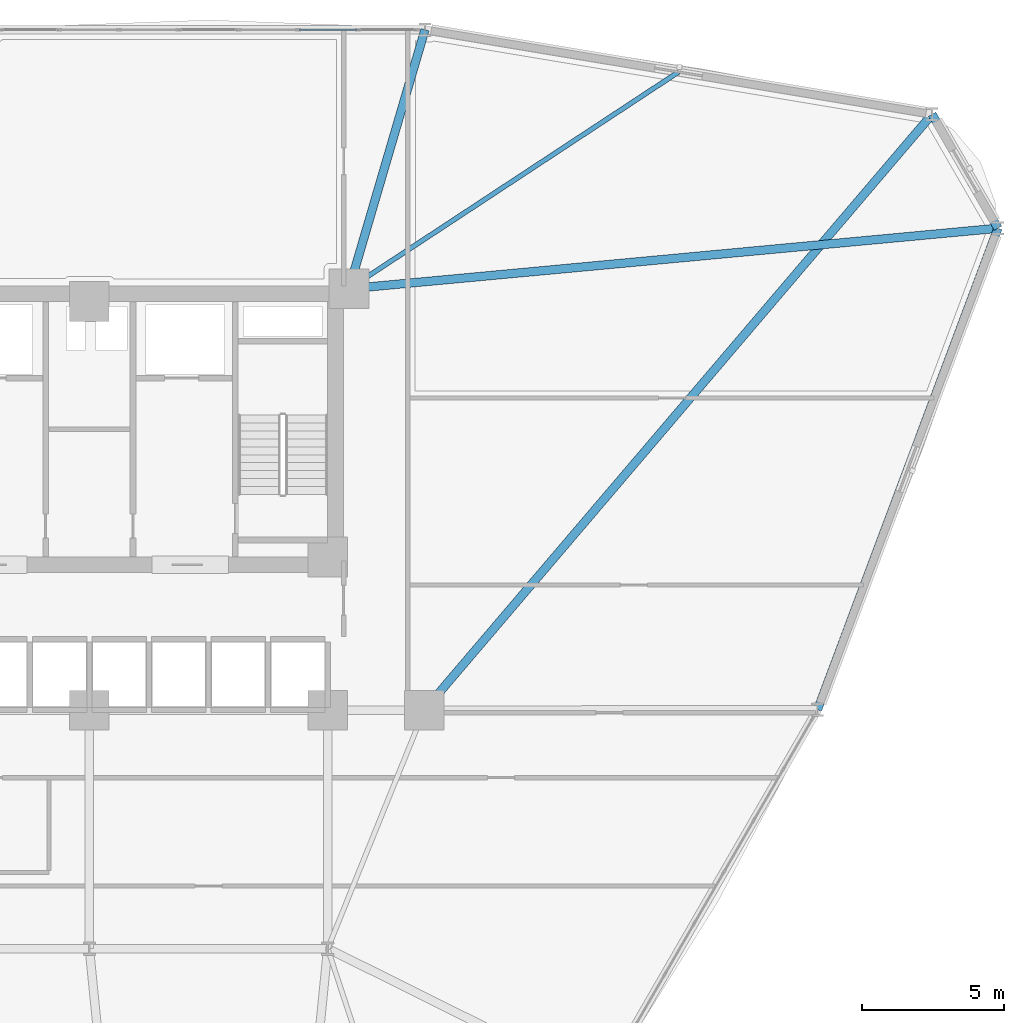
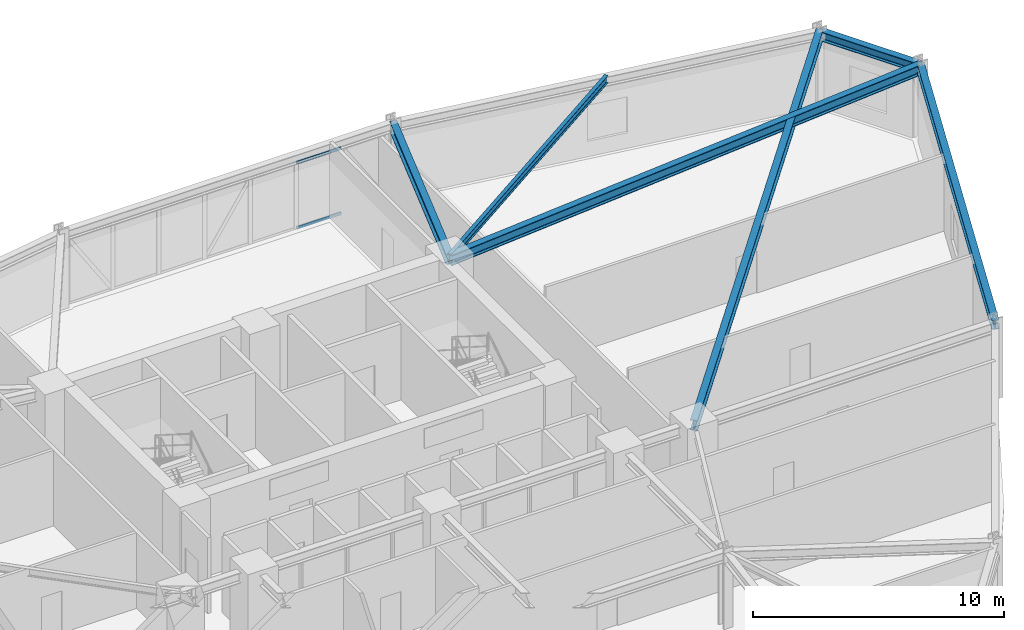
# One storey, part 11 of 20: 6 beams, 2 members, 1 element without a shape of its own.
"""IFC4 building model written with IfcOpenShell, lengths in metres."""

from ifc_helpers import new_model, si_unit, derived_unit, direction, frame, origin, origin_2d, place, context, subcontext, project, spatial, hollow_rectangle, i_section, extrude, source, transform, mapped, material, layer, layer_set, material_profile, profile_set, type_object, element, aggregate, save


model = new_model("IFC4")

# Units and contexts
model_context = context("Model", 3, precision=1e-05, world=origin(), true_north=direction((0.0, 1.0)))
body_context = subcontext(model_context, "Body", "Model", "MODEL_VIEW")
ifc_project = project(units=[si_unit("LENGTHUNIT", "METRE"), si_unit("AREAUNIT", "SQUARE_METRE"), si_unit("VOLUMEUNIT", "CUBIC_METRE"), si_unit("PLANEANGLEUNIT", "RADIAN"), si_unit("MASSUNIT", "GRAM", prefix="KILO"), derived_unit("THERMALTRANSMITTANCEUNIT", [(si_unit("POWERUNIT", "WATT"), 1), (si_unit("LENGTHUNIT", "METRE"), -2), (si_unit("THERMODYNAMICTEMPERATUREUNIT", "KELVIN"), -1)])], contexts=[model_context])

# Site, building, storey
site_placement = place(None, origin())
site = spatial("IfcSite", under=ifc_project, at=site_placement, CompositionType="ELEMENT")
building_placement = place(site_placement, origin())
building = spatial("IfcBuilding", under=site, at=building_placement, Name="Korsvarv Bourse and Concert Hall", CompositionType="ELEMENT")
storey_placement = place(building_placement, frame((0.0, 0.0, 67.800048828125)))
storey = spatial("IfcBuildingStorey", under=building, at=storey_placement, Name="L16", CompositionType="ELEMENT", Elevation=67.800048828125)

# Beams
ifc_material_1 = material(Name="Steel S355", Category="steel")
ifc_material_profile_1 = material_profile(ifc_material_1, i_section(OverallWidth=0.300048828125, OverallDepth=0.449951171875, WebThickness=0.013916015625, FlangeThickness=0.02587890625, FilletRadius=0.02099609375, at=origin_2d()), Name="HEB 450")
ifc_profile_set_1 = profile_set([ifc_material_profile_1], Name="Steel S355")
beam_type_1 = type_object("IfcBeamType", Name="BM-HEB450", PredefinedType="SPANDREL", material=ifc_profile_set_1)
shared_shape_1 = source(origin(), body_context, "Body", "SweptSolid", [
    extrude(i_section(OverallWidth=0.300048828125, OverallDepth=0.449951171875, WebThickness=0.013916015625, FlangeThickness=0.02587890625, FilletRadius=0.02099609375, at=origin_2d()), origin(), (0.0, 0.0, 1.0), 4.637939453125),
])
beam_1_placement = place(storey_placement, frame((68.0166015625, 49.382080078125, 3.454833984375), z_axis=(-0.499977629202, 0.866038319186, 0.0), x_axis=(-0.866038319186, -0.499977629202, 0.0)))
element("IfcBeam", 1, at=beam_1_placement, inside=storey, type_object=beam_type_1, Name="L16 beam B-08", PredefinedType="SPANDREL", context=body_context, shape_type="MappedRepresentation", body=[
    mapped(shared_shape_1, transform((0.0, 0.0, 0.0), scale=1.0)),
])
shared_shape_2 = source(origin(), body_context, "Body", "SweptSolid", [
    extrude(i_section(OverallWidth=0.300048828125, OverallDepth=0.449951171875, WebThickness=0.013916015625, FlangeThickness=0.02587890625, FilletRadius=0.02099609375, at=origin_2d()), origin(), (0.0, 0.0, 1.0), 18.1171875),
])
beam_2_placement = place(storey_placement, frame((61.66015625, 32.41650390625, 3.454833984375), z_axis=(0.350850223085, 0.936431589045, 0.0), x_axis=(-0.936431589045, 0.350850223085, 0.0)))
element("IfcBeam", 2, at=beam_2_placement, inside=storey, type_object=beam_type_1, Name="L16 beam B-08", PredefinedType="SPANDREL", context=body_context, shape_type="MappedRepresentation", body=[
    mapped(shared_shape_2, transform((0.0, 0.0, 0.0), scale=1.0)),
])
ifc_material_profile_2 = material_profile(ifc_material_1, i_section(OverallWidth=0.300048828125, OverallDepth=0.5, WebThickness=0.014404296875, FlangeThickness=0.028076171875, FilletRadius=0.02392578125, at=origin_2d()), Name="HEB 500")
ifc_profile_set_2 = profile_set([ifc_material_profile_2], Name="Steel S355")
beam_type_2 = type_object("IfcBeamType", Name="BM-HEB500", PredefinedType="BEAM", material=ifc_profile_set_2)
shared_shape_3 = source(origin(), body_context, "Body", "SweptSolid", [
    extrude(i_section(OverallWidth=0.300048828125, OverallDepth=0.5, WebThickness=0.014404296875, FlangeThickness=0.028076171875, FilletRadius=0.02392578125, at=origin_2d()), origin(), (0.0, 0.0, 1.0), 22.9658203125),
])
beam_3_placement = place(storey_placement, frame((68.0166015625, 49.382080078125, 3.429931640625), z_axis=(-0.995681334158, -0.092836850496, 0.0), x_axis=(0.092836850496, -0.995681334158, 0.0)))
element("IfcBeam", 3, at=beam_3_placement, inside=storey, type_object=beam_type_2, Name="L16 beam B-07", PredefinedType="BEAM", context=body_context, shape_type="MappedRepresentation", body=[
    mapped(shared_shape_3, transform((0.0, 0.0, 0.0), scale=1.0)),
])
shared_shape_4 = source(origin(), body_context, "Body", "SweptSolid", [
    extrude(i_section(OverallWidth=0.300048828125, OverallDepth=0.5, WebThickness=0.014404296875, FlangeThickness=0.028076171875, FilletRadius=0.02392578125, at=origin_2d()), origin(), (0.0, 0.0, 1.0), 27.59130859375),
])
beam_4_placement = place(storey_placement, frame((65.69775390625, 53.398681640625, 3.429931640625), z_axis=(-0.648673435482, -0.761066865722, 0.0), x_axis=(0.761066865722, -0.648673435482, 0.0)))
element("IfcBeam", 4, at=beam_4_placement, inside=storey, type_object=beam_type_2, Name="L16 beam B-07", PredefinedType="BEAM", context=body_context, shape_type="MappedRepresentation", body=[
    mapped(shared_shape_4, transform((0.0, 0.0, 0.0), scale=1.0)),
])
shared_shape_5 = source(origin(), body_context, "Body", "SweptSolid", [
    extrude(i_section(OverallWidth=0.300048828125, OverallDepth=0.5, WebThickness=0.014404296875, FlangeThickness=0.028076171875, FilletRadius=0.02392578125, at=origin_2d()), origin(), (0.0, 0.0, 1.0), 9.51123046875),
])
beam_5_placement = place(storey_placement, frame((47.82666015625, 56.376708984375, 3.429931640625), z_axis=(-0.281433860533, -0.959580628267, 0.0), x_axis=(0.959580628267, -0.281433860533, 0.0)))
element("IfcBeam", 5, at=beam_5_placement, inside=storey, type_object=beam_type_2, Name="L16 beam B-07", PredefinedType="BEAM", context=body_context, shape_type="MappedRepresentation", body=[
    mapped(shared_shape_5, transform((0.0, 0.0, 0.0), scale=1.0)),
])
ifc_material_profile_3 = material_profile(ifc_material_1, i_section(OverallWidth=0.169921875, OverallDepth=0.360107421875, WebThickness=0.008056640625, FlangeThickness=0.0126953125, FilletRadius=0.01806640625, at=origin_2d()), Name="IPE 360")
ifc_profile_set_3 = profile_set([ifc_material_profile_3], Name="Steel S355")
beam_type_3 = type_object("IfcBeamType", Name="BM-IPE360", PredefinedType="JOIST", material=ifc_profile_set_3)
shared_shape_6 = source(origin(), body_context, "Body", "SweptSolid", [
    extrude(i_section(OverallWidth=0.169921875, OverallDepth=0.360107421875, WebThickness=0.008056640625, FlangeThickness=0.0126953125, FilletRadius=0.01806640625, at=origin_2d()), origin(), (0.0, 0.0, 1.0), 13.89892578125),
])
beam_6_placement = place(storey_placement, frame((56.76220703125, 54.8876953125, 3.5), z_axis=(-0.835482447947, -0.549517132738, 0.0), x_axis=(0.549517132738, -0.835482447947, 0.0)))
element("IfcBeam", 6, at=beam_6_placement, inside=storey, type_object=beam_type_3, Name="L16 beam J-06", PredefinedType="JOIST", context=body_context, shape_type="MappedRepresentation", body=[
    mapped(shared_shape_6, transform((0.0, 0.0, 0.0), scale=1.0)),
])

# Curtain wall, members
ifc_material_2 = material(Name="Anodised aluminium and triple low-E glazing", Category="glass")
ifc_layer = layer(ifc_material_2, 0.219970703125)
ifc_layer_set = layer_set([ifc_layer], Name="Anodised aluminium and triple low-E glazing")
curtain_wall_type = type_object("IfcCurtainWallType", Name="CW-SYS-1", PredefinedType="NOTDEFINED", material=ifc_layer_set)
curtain_wall_placement = place(storey_placement, origin())
curtain_wall = element("IfcCurtainWall", 7, at=curtain_wall_placement, inside=storey, type_object=curtain_wall_type, Name="L16 CW1 curtain wall CW-L16-F03", PredefinedType="NOTDEFINED")
ifc_material_3 = material(Name="Extruded aluminium EN AW-6063 T66", Category="aluminium")
ifc_material_profile_4 = material_profile(ifc_material_3, hollow_rectangle(XDim=0.06494140625, YDim=0.139892578125, WallThickness=0.00390625, at=origin_2d()), Name="ALU-T 65x140")
ifc_profile_set_4 = profile_set([ifc_material_profile_4], Name="Extruded aluminium EN AW-6063 T66")
member_type = type_object("IfcMemberType", Name="CWT-140", PredefinedType="USERDEFINED", material=ifc_profile_set_4)
shared_shape_7 = source(origin(), body_context, "Body", "SweptSolid", [
    extrude(hollow_rectangle(XDim=0.06494140625, YDim=0.139892578125, WallThickness=0.00390625, at=origin_2d()), origin(), (0.0, 0.0, 1.0), 2.0341796875),
])
member_1_placement = place(storey_placement, frame((45.425537109375, 56.376708984375, 0.032470703125), z_axis=(-1.0, 0.0, 0.0), x_axis=(0.0, -1.0, 0.0)))
member_1 = element("IfcMember", 8, at=member_1_placement, type_object=member_type, Name="CW1 transom 2.1", ObjectType="TRANSOM", PredefinedType="USERDEFINED", context=body_context, shape_type="MappedRepresentation", body=[
    mapped(shared_shape_7, transform((0.0, 0.0, 0.0), scale=1.0)),
])
member_2_placement = place(storey_placement, frame((45.425537109375, 56.376708984375, 3.197509765625), z_axis=(-1.0, 0.0, 0.0), x_axis=(0.0, -1.0, 0.0)))
member_2 = element("IfcMember", 9, at=member_2_placement, type_object=member_type, Name="CW1 transom 2.2", ObjectType="TRANSOM", PredefinedType="USERDEFINED", context=body_context, shape_type="MappedRepresentation", body=[
    mapped(shared_shape_7, transform((0.0, 0.0, 0.0), scale=1.0)),
])
aggregate(curtain_wall, [member_1, member_2])

save(model, "model.ifc")
